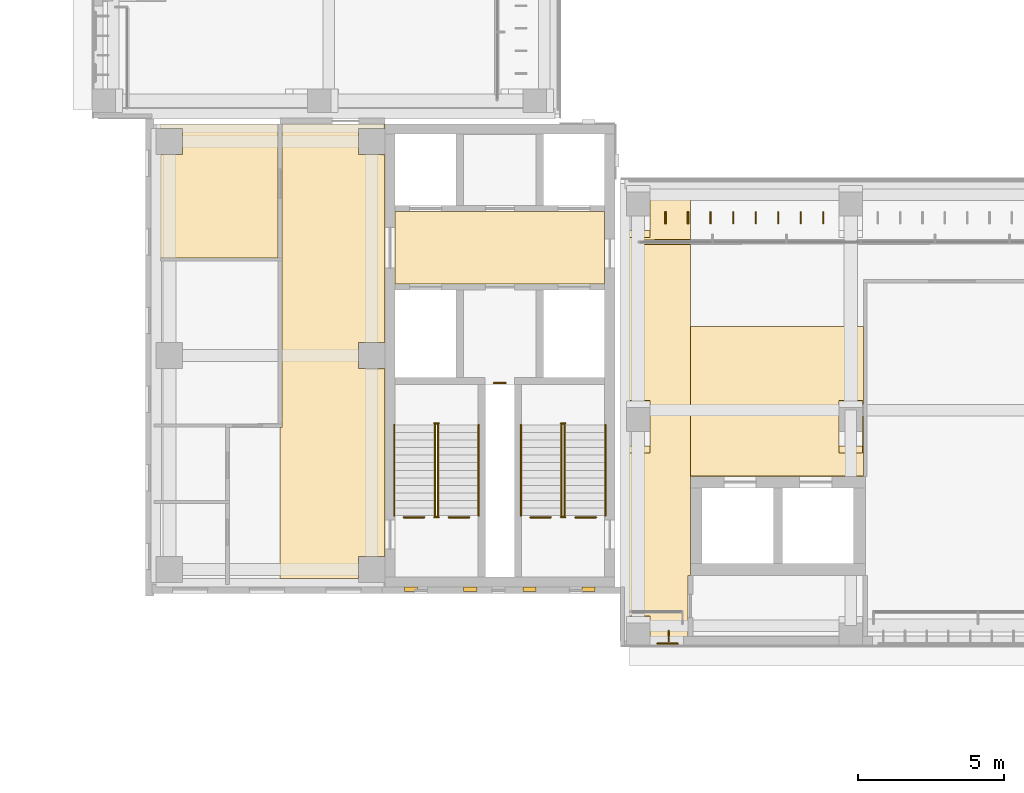
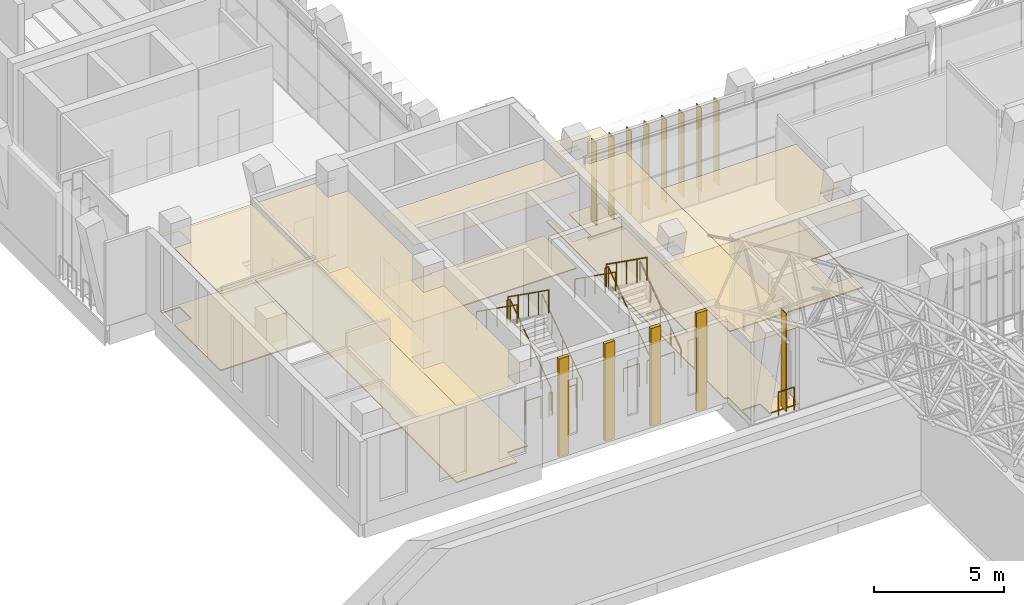
# One storey, part 121 of 141: 18 railings, 14 coverings, 9 shading devices.
"""IFC4 building model written with IfcOpenShell, lengths in metres."""

from ifc_helpers import new_model, si_unit, direction, frame, frame_2d, origin, origin_2d, place, context, subcontext, project, spatial, polyline, rectangle, circle, outline, extrude, material, layer, layer_set, type_object, element, save


model = new_model("IFC4")

# Units and contexts
model_context = context("Model", 3, precision=1e-05, world=origin(), true_north=direction((0.0, 1.0)))
body_context = subcontext(model_context, "Body", "Model", "MODEL_VIEW")
ifc_project = project(units=[si_unit("LENGTHUNIT", "METRE"), si_unit("AREAUNIT", "SQUARE_METRE"), si_unit("VOLUMEUNIT", "CUBIC_METRE"), si_unit("PLANEANGLEUNIT", "RADIAN"), si_unit("MASSUNIT", "GRAM", prefix="KILO")], contexts=[model_context])

# Site, building, storey
site_placement = place(None, origin())
site = spatial("IfcSite", under=ifc_project, at=site_placement, CompositionType="ELEMENT")
building_placement = place(site_placement, origin())
building = spatial("IfcBuilding", under=site, at=building_placement, Name="Lantern Court Media Centre", CompositionType="ELEMENT")
storey_placement = place(building_placement, frame((0.0, 0.0, 9.60009765625)))
storey = spatial("IfcBuildingStorey", under=building, at=storey_placement, Name="L02", CompositionType="ELEMENT", Elevation=9.60009765625)

# Covering
ifc_material_1 = material(Name="Carpet")
ifc_layer_1 = layer(ifc_material_1, 0.050048828125)
ifc_layer_set_1 = layer_set([ifc_layer_1], Name="Carpet")
covering_type_1 = type_object("IfcCoveringType", Name="Carpet floor finish", PredefinedType="FLOORING", material=ifc_layer_set_1)
covering_1_placement = place(storey_placement, origin())
element("IfcCovering", 1, at=covering_1_placement, inside=storey, type_object=covering_type_1, Name="Community Room 03 floor finish", PredefinedType="FLOORING", context=body_context, shape_type="SweptSolid", body=[
    extrude(outline(polyline([(8.300048828125, 63.89990234375), (12.33251953125, 63.89990234375), (12.33251953125, 59.304931640625), (8.300048828125, 59.304931640625), (8.300048828125, 62.844970703125), (9.054931640625, 62.85009765625), (9.05419921875, 63.752685546875), (8.300048828125, 63.7548828125), (8.300048828125, 63.89990234375)])), origin(), (0.0, 0.0, 1.0), 0.0498046875),
])

# Railings
ifc_material_2 = material(Name="Powder-coated steel", Category="steel")
railing_type_1 = type_object("IfcRailingType", Name="Floor edge guard 1100", PredefinedType="GUARDRAIL", material=ifc_material_2)
railing_1_placement = place(storey_placement, frame((18.89990234375, 50.390380859375, 0.0)))
element("IfcRailing", 2, at=railing_1_placement, inside=storey, type_object=railing_type_1, Name="L02 opening guard 62", PredefinedType="GUARDRAIL", context=body_context, shape_type="SweptSolid", body=[
    extrude(circle(Radius=0.02392578125, at=origin_2d()), frame((0.0, 0.0, 1.076171875), z_axis=(-1.0, 0.0, 0.0), x_axis=(0.0, -1.0, 0.0)), (0.0, 0.0, 1.0), 0.70361328125),
    extrude(circle(Radius=0.02099609375, at=origin_2d()), origin(), (0.0, 0.0, 1.0), 1.052001953125),
    extrude(circle(Radius=0.02099609375, at=origin_2d()), frame((-0.70361328125, 0.0, 0.0)), (0.0, 0.0, 1.0), 1.052001953125),
])
railing_2_placement = place(storey_placement, frame((17.353759765625, 50.390380859375, 0.0)))
element("IfcRailing", 3, at=railing_2_placement, inside=storey, type_object=railing_type_1, Name="L02 opening guard 63", PredefinedType="GUARDRAIL", context=body_context, shape_type="SweptSolid", body=[
    extrude(circle(Radius=0.02392578125, at=origin_2d()), frame((0.0, 0.0, 1.076171875), z_axis=(-1.0, 0.0, 0.0), x_axis=(0.0, -1.0, 0.0)), (0.0, 0.0, 1.0), 0.703857421875),
    extrude(circle(Radius=0.02099609375, at=origin_2d()), origin(), (0.0, 0.0, 1.0), 1.052001953125),
    extrude(circle(Radius=0.02099609375, at=origin_2d()), frame((-0.703857421875, 0.0, 0.0)), (0.0, 0.0, 1.0), 1.052001953125),
])
for number, where, name in (
    (4, (23.25, 50.390380859375, 0.0), "L02 opening guard 64"),
    (5, (21.70361328125, 50.390380859375, 0.0), "L02 opening guard 65"),
):
    element("IfcRailing", number, at=place(storey_placement, frame(where)), inside=storey, type_object=railing_type_1, Name=name, PredefinedType="GUARDRAIL", context=body_context, shape_type="SweptSolid", body=[
        extrude(circle(Radius=0.02392578125, at=origin_2d()), frame((0.0, 0.0, 1.076171875), z_axis=(-1.0, 0.0, 0.0), x_axis=(0.0, -1.0, 0.0)), (0.0, 0.0, 1.0), 0.70361328125),
        extrude(circle(Radius=0.02099609375, at=origin_2d()), origin(), (0.0, 0.0, 1.0), 1.052001953125),
        extrude(circle(Radius=0.02099609375, at=origin_2d()), frame((-0.70361328125, 0.0, 0.0)), (0.0, 0.0, 1.0), 1.052001953125),
    ])
railing_3_placement = place(storey_placement, frame((20.14990234375, 55.010009765625, 0.0)))
element("IfcRailing", 6, at=railing_3_placement, inside=storey, type_object=railing_type_1, Name="L02 opening guard 66", PredefinedType="GUARDRAIL", context=body_context, shape_type="SweptSolid", body=[
    extrude(circle(Radius=0.02392578125, at=origin_2d()), frame((0.0, 0.0, 1.076171875), z_axis=(-1.0, 0.0, 0.0), x_axis=(0.0, -1.0, 0.0)), (0.0, 0.0, 1.0), 0.39990234375),
    extrude(circle(Radius=0.02099609375, at=origin_2d()), origin(), (0.0, 0.0, 1.0), 1.052001953125),
    extrude(circle(Radius=0.02099609375, at=origin_2d()), frame((-0.39990234375, 0.0, 0.0)), (0.0, 0.0, 1.0), 1.052001953125),
])
railing_4_placement = place(storey_placement, frame((26.06005859375, 46.06005859375, 0.0)))
element("IfcRailing", 7, at=railing_4_placement, inside=storey, type_object=railing_type_1, Name="L02 edge guard 45", PredefinedType="GUARDRAIL", context=body_context, shape_type="SweptSolid", body=[
    extrude(circle(Radius=0.02392578125, at=origin_2d()), frame((0.0, 0.0, 1.076171875), z_axis=(-1.0, 0.0, 0.0), x_axis=(0.0, -1.0, 0.0)), (0.0, 0.0, 1.0), 0.699951171875),
    extrude(circle(Radius=0.02099609375, at=origin_2d()), origin(), (0.0, 0.0, 1.0), 1.052001953125),
    extrude(circle(Radius=0.02099609375, at=origin_2d()), frame((-0.699951171875, 0.0, 0.0)), (0.0, 0.0, 1.0), 1.052001953125),
])

# Coverings
ifc_material_3 = material(Name="Honed limestone cladding", Category="masonry")
ifc_layer_2 = layer(ifc_material_3, 0.14990234375)
ifc_layer_set_2 = layer_set([ifc_layer_2], Name="Honed limestone cladding")
covering_type_2 = type_object("IfcCoveringType", Name="Limestone pilaster cladding 150", PredefinedType="CLADDING", material=ifc_layer_set_2)
covering_2_placement = place(storey_placement, frame((16.675048828125, 47.925048828125, 0.0), z_axis=(0.0, 0.0, 1.0), x_axis=(1.0, 0.0, 0.0)))
element("IfcCovering", 8, at=covering_2_placement, inside=storey, type_object=covering_type_2, Name="Limestone pilaster rib", PredefinedType="CLADDING", context=body_context, shape_type="SweptSolid", body=[
    extrude(rectangle(XDim=0.449951171875, YDim=0.14990234375, at=frame_2d((0.22509765625, 0.0))), origin(), (0.0, 0.0, 1.0), 4.579833984375),
])
covering_3_placement = place(storey_placement, frame((18.708251953125, 47.925048828125, 0.0), z_axis=(0.0, 0.0, 1.0), x_axis=(1.0, 0.0, 0.0)))
element("IfcCovering", 9, at=covering_3_placement, inside=storey, type_object=covering_type_2, Name="Limestone pilaster rib", PredefinedType="CLADDING", context=body_context, shape_type="SweptSolid", body=[
    extrude(rectangle(XDim=0.4501953125, YDim=0.14990234375, at=frame_2d((0.22509765625, 0.0))), origin(), (0.0, 0.0, 1.0), 4.579833984375),
])
covering_4_placement = place(storey_placement, frame((20.74169921875, 47.925048828125, 0.0), z_axis=(0.0, 0.0, 1.0), x_axis=(1.0, 0.0, 0.0)))
element("IfcCovering", 10, at=covering_4_placement, inside=storey, type_object=covering_type_2, Name="Limestone pilaster rib", PredefinedType="CLADDING", context=body_context, shape_type="SweptSolid", body=[
    extrude(rectangle(XDim=0.449951171875, YDim=0.14990234375, at=frame_2d((0.22509765625, 0.0))), origin(), (0.0, 0.0, 1.0), 4.579833984375),
])
covering_5_placement = place(storey_placement, frame((22.77490234375, 47.925048828125, 0.0), z_axis=(0.0, 0.0, 1.0), x_axis=(1.0, 0.0, 0.0)))
element("IfcCovering", 11, at=covering_5_placement, inside=storey, type_object=covering_type_2, Name="Limestone pilaster rib", PredefinedType="CLADDING", context=body_context, shape_type="SweptSolid", body=[
    extrude(rectangle(XDim=0.4501953125, YDim=0.14990234375, at=frame_2d((0.22509765625, 0.0))), origin(), (0.0, 0.0, 1.0), 4.579833984375),
])

# Railings
railing_type_2 = type_object("IfcRailingType", Name="Stair guard 1100", PredefinedType="GUARDRAIL", material=ifc_material_2)
railing_5_placement = place(storey_placement, frame((17.825927734375, 50.449951171875, 0.1845703125)))
element("IfcRailing", 12, at=railing_5_placement, inside=storey, type_object=railing_type_2, Name="L02 ST-SWA stair guard 1", PredefinedType="GUARDRAIL", context=body_context, shape_type="SweptSolid", body=[
    extrude(circle(Radius=0.02392578125, at=origin_2d()), frame((0.0, 0.0, 1.076171875), z_axis=(0.0, 0.815376961211, 0.578930402662), x_axis=(-1.0, 0.0, 0.0)), (0.0, 0.0, 1.0), 3.82666015625),
    extrude(circle(Radius=0.02099609375, at=origin_2d()), origin(), (0.0, 0.0, 1.0), 1.052001953125),
    extrude(circle(Radius=0.02099609375, at=origin_2d()), frame((0.0, 0.780029296875, 0.5537109375)), (0.0, 0.0, 1.0), 1.052001953125),
    extrude(circle(Radius=0.02099609375, at=origin_2d()), frame((0.0, 1.56005859375, 1.107666015625)), (0.0, 0.0, 1.0), 1.052001953125),
    extrude(circle(Radius=0.02099609375, at=origin_2d()), frame((0.0, 2.340087890625, 1.66162109375)), (0.0, 0.0, 1.0), 1.052001953125),
    extrude(circle(Radius=0.02099609375, at=origin_2d()), frame((0.0, 3.1201171875, 2.21533203125)), (0.0, 0.0, 1.0), 1.052001953125),
])
railing_6_placement = place(storey_placement, frame((17.85009765625, 53.6201171875, 2.39990234375)))
element("IfcRailing", 13, at=railing_6_placement, inside=storey, type_object=railing_type_2, Name="L02 ST-SWA stair guard 2", PredefinedType="GUARDRAIL", context=body_context, shape_type="SweptSolid", body=[
    extrude(circle(Radius=0.02392578125, at=origin_2d()), frame((0.0, 0.0, 1.076171875), z_axis=(-1.0, 0.0, 0.0), x_axis=(0.0, -1.0, 0.0)), (0.0, 0.0, 1.0), 0.150146484375),
    extrude(circle(Radius=0.02099609375, at=origin_2d()), origin(), (0.0, 0.0, 1.0), 1.052001953125),
    extrude(circle(Radius=0.02099609375, at=origin_2d()), frame((-0.150146484375, 0.0, 0.0)), (0.0, 0.0, 1.0), 1.052001953125),
])
railing_7_placement = place(storey_placement, frame((17.72412109375, 53.570068359375, 2.58447265625)))
element("IfcRailing", 14, at=railing_7_placement, inside=storey, type_object=railing_type_2, Name="L02 ST-SWA stair guard 3", PredefinedType="GUARDRAIL", context=body_context, shape_type="SweptSolid", body=[
    extrude(circle(Radius=0.02392578125, at=origin_2d()), frame((0.0, 0.0, 1.076171875), z_axis=(0.0, -0.815376961211, 0.578930402662), x_axis=(1.0, 0.0, 0.0)), (0.0, 0.0, 1.0), 3.82666015625),
    extrude(circle(Radius=0.02099609375, at=origin_2d()), origin(), (0.0, 0.0, 1.0), 1.052001953125),
    extrude(circle(Radius=0.02099609375, at=origin_2d()), frame((0.0, -0.780029296875, 0.5537109375)), (0.0, 0.0, 1.0), 1.052001953125),
    extrude(circle(Radius=0.02099609375, at=origin_2d()), frame((0.0, -1.56005859375, 1.107666015625)), (0.0, 0.0, 1.0), 1.052001953125),
    extrude(circle(Radius=0.02099609375, at=origin_2d()), frame((0.0, -2.340087890625, 1.66162109375)), (0.0, 0.0, 1.0), 1.052001953125),
    extrude(circle(Radius=0.02099609375, at=origin_2d()), frame((0.0, -3.1201171875, 2.21533203125)), (0.0, 0.0, 1.0), 1.052001953125),
])
railing_8_placement = place(storey_placement, frame((17.85009765625, 50.39990234375, 0.0)))
element("IfcRailing", 15, at=railing_8_placement, inside=storey, type_object=railing_type_2, Name="L02 ST-SWA stair guard 4", PredefinedType="GUARDRAIL", context=body_context, shape_type="SweptSolid", body=[
    extrude(circle(Radius=0.02392578125, at=origin_2d()), frame((0.0, 0.0, 1.076171875), z_axis=(-1.0, 0.0, 0.0), x_axis=(0.0, -1.0, 0.0)), (0.0, 0.0, 1.0), 0.150146484375),
    extrude(circle(Radius=0.02099609375, at=origin_2d()), origin(), (0.0, 0.0, 1.0), 1.052001953125),
    extrude(circle(Radius=0.02099609375, at=origin_2d()), frame((-0.150146484375, 0.0, 0.0)), (0.0, 0.0, 1.0), 1.052001953125),
])
railing_9_placement = place(storey_placement, frame((22.176025390625, 50.449951171875, 0.1845703125)))
element("IfcRailing", 16, at=railing_9_placement, inside=storey, type_object=railing_type_2, Name="L02 ST-SWB stair guard 1", PredefinedType="GUARDRAIL", context=body_context, shape_type="SweptSolid", body=[
    extrude(circle(Radius=0.02392578125, at=origin_2d()), frame((0.0, 0.0, 1.076171875), z_axis=(0.0, 0.815376961211, 0.578930402662), x_axis=(-1.0, 0.0, 0.0)), (0.0, 0.0, 1.0), 3.82666015625),
    extrude(circle(Radius=0.02099609375, at=origin_2d()), origin(), (0.0, 0.0, 1.0), 1.052001953125),
    extrude(circle(Radius=0.02099609375, at=origin_2d()), frame((0.0, 0.780029296875, 0.5537109375)), (0.0, 0.0, 1.0), 1.052001953125),
    extrude(circle(Radius=0.02099609375, at=origin_2d()), frame((0.0, 1.56005859375, 1.107666015625)), (0.0, 0.0, 1.0), 1.052001953125),
    extrude(circle(Radius=0.02099609375, at=origin_2d()), frame((0.0, 2.340087890625, 1.66162109375)), (0.0, 0.0, 1.0), 1.052001953125),
    extrude(circle(Radius=0.02099609375, at=origin_2d()), frame((0.0, 3.1201171875, 2.21533203125)), (0.0, 0.0, 1.0), 1.052001953125),
])
railing_10_placement = place(storey_placement, frame((22.199951171875, 53.6201171875, 2.39990234375)))
element("IfcRailing", 17, at=railing_10_placement, inside=storey, type_object=railing_type_2, Name="L02 ST-SWB stair guard 2", PredefinedType="GUARDRAIL", context=body_context, shape_type="SweptSolid", body=[
    extrude(circle(Radius=0.02392578125, at=origin_2d()), frame((0.0, 0.0, 1.076171875), z_axis=(-1.0, 0.0, 0.0), x_axis=(0.0, -1.0, 0.0)), (0.0, 0.0, 1.0), 0.14990234375),
    extrude(circle(Radius=0.02099609375, at=origin_2d()), origin(), (0.0, 0.0, 1.0), 1.052001953125),
    extrude(circle(Radius=0.02099609375, at=origin_2d()), frame((-0.14990234375, 0.0, 0.0)), (0.0, 0.0, 1.0), 1.052001953125),
])
railing_11_placement = place(storey_placement, frame((22.073974609375, 53.570068359375, 2.58447265625)))
element("IfcRailing", 18, at=railing_11_placement, inside=storey, type_object=railing_type_2, Name="L02 ST-SWB stair guard 3", PredefinedType="GUARDRAIL", context=body_context, shape_type="SweptSolid", body=[
    extrude(circle(Radius=0.02392578125, at=origin_2d()), frame((0.0, 0.0, 1.076171875), z_axis=(0.0, -0.815376961211, 0.578930402662), x_axis=(1.0, 0.0, 0.0)), (0.0, 0.0, 1.0), 3.82666015625),
    extrude(circle(Radius=0.02099609375, at=origin_2d()), origin(), (0.0, 0.0, 1.0), 1.052001953125),
    extrude(circle(Radius=0.02099609375, at=origin_2d()), frame((0.0, -0.780029296875, 0.5537109375)), (0.0, 0.0, 1.0), 1.052001953125),
    extrude(circle(Radius=0.02099609375, at=origin_2d()), frame((0.0, -1.56005859375, 1.107666015625)), (0.0, 0.0, 1.0), 1.052001953125),
    extrude(circle(Radius=0.02099609375, at=origin_2d()), frame((0.0, -2.340087890625, 1.66162109375)), (0.0, 0.0, 1.0), 1.052001953125),
    extrude(circle(Radius=0.02099609375, at=origin_2d()), frame((0.0, -3.1201171875, 2.21533203125)), (0.0, 0.0, 1.0), 1.052001953125),
])
railing_12_placement = place(storey_placement, frame((22.199951171875, 50.39990234375, 0.0)))
element("IfcRailing", 19, at=railing_12_placement, inside=storey, type_object=railing_type_2, Name="L02 ST-SWB stair guard 4", PredefinedType="GUARDRAIL", context=body_context, shape_type="SweptSolid", body=[
    extrude(circle(Radius=0.02392578125, at=origin_2d()), frame((0.0, 0.0, 1.076171875), z_axis=(-1.0, 0.0, 0.0), x_axis=(0.0, -1.0, 0.0)), (0.0, 0.0, 1.0), 0.14990234375),
    extrude(circle(Radius=0.02099609375, at=origin_2d()), origin(), (0.0, 0.0, 1.0), 1.052001953125),
    extrude(circle(Radius=0.02099609375, at=origin_2d()), frame((-0.14990234375, 0.0, 0.0)), (0.0, 0.0, 1.0), 1.052001953125),
])
railing_type_3 = type_object("IfcRailingType", Name="Stair handrail 900", PredefinedType="HANDRAIL", material=ifc_material_2)
railing_13_placement = place(storey_placement, frame((19.22412109375, 50.449951171875, 0.1845703125)))
element("IfcRailing", 20, at=railing_13_placement, inside=storey, type_object=railing_type_3, Name="L02 ST-SWA stair handrail 1", PredefinedType="HANDRAIL", context=body_context, shape_type="SweptSolid", body=[
    extrude(circle(Radius=0.02392578125, at=origin_2d()), frame((0.0, 0.0, 0.8759765625), z_axis=(0.0, 0.815376961211, 0.578930402662), x_axis=(-1.0, 0.0, 0.0)), (0.0, 0.0, 1.0), 3.82666015625),
    extrude(circle(Radius=0.02099609375, at=origin_2d()), origin(), (0.0, 0.0, 1.0), 0.851806640625),
    extrude(circle(Radius=0.02099609375, at=origin_2d()), frame((0.0, 0.780029296875, 0.5537109375)), (0.0, 0.0, 1.0), 0.851806640625),
    extrude(circle(Radius=0.02099609375, at=origin_2d()), frame((0.0, 1.56005859375, 1.107666015625)), (0.0, 0.0, 1.0), 0.851806640625),
    extrude(circle(Radius=0.02099609375, at=origin_2d()), frame((0.0, 2.340087890625, 1.66162109375)), (0.0, 0.0, 1.0), 0.851806640625),
    extrude(circle(Radius=0.02099609375, at=origin_2d()), frame((0.0, 3.1201171875, 2.21533203125)), (0.0, 0.0, 1.0), 0.851806640625),
])
railing_14_placement = place(storey_placement, frame((16.325927734375, 53.570068359375, 2.58447265625)))
element("IfcRailing", 21, at=railing_14_placement, inside=storey, type_object=railing_type_3, Name="L02 ST-SWA stair handrail 2", PredefinedType="HANDRAIL", context=body_context, shape_type="SweptSolid", body=[
    extrude(circle(Radius=0.02392578125, at=origin_2d()), frame((0.0, 0.0, 0.8759765625), z_axis=(0.0, -0.815376961211, 0.578930402662), x_axis=(1.0, 0.0, 0.0)), (0.0, 0.0, 1.0), 3.82666015625),
    extrude(circle(Radius=0.02099609375, at=origin_2d()), origin(), (0.0, 0.0, 1.0), 0.851806640625),
    extrude(circle(Radius=0.02099609375, at=origin_2d()), frame((0.0, -0.780029296875, 0.5537109375)), (0.0, 0.0, 1.0), 0.851806640625),
    extrude(circle(Radius=0.02099609375, at=origin_2d()), frame((0.0, -1.56005859375, 1.107666015625)), (0.0, 0.0, 1.0), 0.851806640625),
    extrude(circle(Radius=0.02099609375, at=origin_2d()), frame((0.0, -2.340087890625, 1.66162109375)), (0.0, 0.0, 1.0), 0.851806640625),
    extrude(circle(Radius=0.02099609375, at=origin_2d()), frame((0.0, -3.1201171875, 2.21533203125)), (0.0, 0.0, 1.0), 0.851806640625),
])
railing_15_placement = place(storey_placement, frame((23.573974609375, 50.449951171875, 0.1845703125)))
element("IfcRailing", 22, at=railing_15_placement, inside=storey, type_object=railing_type_3, Name="L02 ST-SWB stair handrail 1", PredefinedType="HANDRAIL", context=body_context, shape_type="SweptSolid", body=[
    extrude(circle(Radius=0.02392578125, at=origin_2d()), frame((0.0, 0.0, 0.8759765625), z_axis=(0.0, 0.815376961211, 0.578930402662), x_axis=(-1.0, 0.0, 0.0)), (0.0, 0.0, 1.0), 3.82666015625),
    extrude(circle(Radius=0.02099609375, at=origin_2d()), origin(), (0.0, 0.0, 1.0), 0.851806640625),
    extrude(circle(Radius=0.02099609375, at=origin_2d()), frame((0.0, 0.780029296875, 0.5537109375)), (0.0, 0.0, 1.0), 0.851806640625),
    extrude(circle(Radius=0.02099609375, at=origin_2d()), frame((0.0, 1.56005859375, 1.107666015625)), (0.0, 0.0, 1.0), 0.851806640625),
    extrude(circle(Radius=0.02099609375, at=origin_2d()), frame((0.0, 2.340087890625, 1.66162109375)), (0.0, 0.0, 1.0), 0.851806640625),
    extrude(circle(Radius=0.02099609375, at=origin_2d()), frame((0.0, 3.1201171875, 2.21533203125)), (0.0, 0.0, 1.0), 0.851806640625),
])
railing_16_placement = place(storey_placement, frame((20.676025390625, 53.570068359375, 2.58447265625)))
element("IfcRailing", 23, at=railing_16_placement, inside=storey, type_object=railing_type_3, Name="L02 ST-SWB stair handrail 2", PredefinedType="HANDRAIL", context=body_context, shape_type="SweptSolid", body=[
    extrude(circle(Radius=0.02392578125, at=origin_2d()), frame((0.0, 0.0, 0.8759765625), z_axis=(0.0, -0.815376961211, 0.578930402662), x_axis=(1.0, 0.0, 0.0)), (0.0, 0.0, 1.0), 3.82666015625),
    extrude(circle(Radius=0.02099609375, at=origin_2d()), origin(), (0.0, 0.0, 1.0), 0.851806640625),
    extrude(circle(Radius=0.02099609375, at=origin_2d()), frame((0.0, -0.780029296875, 0.5537109375)), (0.0, 0.0, 1.0), 0.851806640625),
    extrude(circle(Radius=0.02099609375, at=origin_2d()), frame((0.0, -1.56005859375, 1.107666015625)), (0.0, 0.0, 1.0), 0.851806640625),
    extrude(circle(Radius=0.02099609375, at=origin_2d()), frame((0.0, -2.340087890625, 1.66162109375)), (0.0, 0.0, 1.0), 0.851806640625),
    extrude(circle(Radius=0.02099609375, at=origin_2d()), frame((0.0, -3.1201171875, 2.21533203125)), (0.0, 0.0, 1.0), 0.851806640625),
])

# Coverings
ifc_material_4 = material(Name="Mineral fibre ceiling tile")
ifc_layer_3 = layer(ifc_material_4, 0.02001953125)
ifc_layer_set_3 = layer_set([ifc_layer_3], Name="Mineral fibre ceiling tile")
covering_type_3 = type_object("IfcCoveringType", Name="Suspended ceiling tile", PredefinedType="CEILING", material=ifc_layer_set_3)
covering_6_placement = place(storey_placement, frame((0.0, 0.0, 3.599853515625)))
element("IfcCovering", 24, at=covering_6_placement, inside=storey, type_object=covering_type_3, Name="End Lobby ceiling", PredefinedType="CEILING", context=body_context, shape_type="SweptSolid", body=[
    extrude(outline(polyline([(26.5, 59.7744140625), (26.49951171875, 48.400390625), (26.41943359375, 48.39990234375), (26.41943359375, 46.300537109375), (24.240478515625, 46.300048828125), (24.240478515625, 48.0), (24.10009765625, 48.00048828125), (24.10009765625, 61.699951171875), (26.5, 61.699951171875), (26.5, 59.925537109375), (24.8994140625, 59.925048828125), (24.89990234375, 59.7744140625), (26.5, 59.7744140625)]), holes=[polyline([(25.10009765625, 52.847412109375), (25.100341796875, 53.400390625), (24.299560546875, 53.400390625), (24.2998046875, 52.847412109375), (25.10009765625, 52.847412109375)]), polyline([(25.10009765625, 53.599609375), (25.10009765625, 53.6484375), (24.299560546875, 53.64794921875), (24.300048828125, 53.599609375), (25.10009765625, 53.599609375)]), polyline([(25.10009765625, 60.247314453125), (25.100341796875, 60.800537109375), (24.299560546875, 60.80029296875), (24.2998046875, 60.24755859375), (25.10009765625, 60.247314453125)]), polyline([(25.10009765625, 60.99951171875), (25.10009765625, 61.04833984375), (24.299560546875, 61.0478515625), (24.300048828125, 60.99951171875), (25.10009765625, 60.99951171875)])]), origin(), (0.0, 0.0, 1.0), 0.02001953125),
])
covering_7_placement = place(storey_placement, frame((0.0, 0.0, 3.599853515625)))
element("IfcCovering", 25, at=covering_7_placement, inside=storey, type_object=covering_type_3, Name="Lift Lobby ceiling", PredefinedType="CEILING", context=body_context, shape_type="SweptSolid", body=[
    extrude(outline(polyline([(26.5, 56.949951171875), (32.43701171875, 56.949951171875), (32.43701171875, 51.800537109375), (26.5, 51.800537109375), (26.5, 56.949951171875)]), holes=[polyline([(32.39990234375, 53.599609375), (32.400146484375, 53.6484375), (31.599609375, 53.64794921875), (31.599853515625, 53.599609375), (32.39990234375, 53.599609375)]), polyline([(32.39990234375, 52.847412109375), (32.400390625, 53.400390625), (31.599609375, 53.400390625), (31.599609375, 52.847412109375), (32.39990234375, 52.847412109375)])]), origin(), (0.0, 0.0, 1.0), 0.02001953125),
])
covering_8_placement = place(storey_placement, frame((0.0, 0.0, 3.599853515625)))
element("IfcCovering", 26, at=covering_8_placement, inside=storey, type_object=covering_type_3, Name="Lift Lobby ceiling", PredefinedType="CEILING", context=body_context, shape_type="SweptSolid", body=[
    extrude(outline(polyline([(16.3505859375, 60.8994140625), (23.549560546875, 60.8994140625), (23.549560546875, 58.400390625), (16.3505859375, 58.400390625), (16.3505859375, 60.8994140625)])), origin(), (0.0, 0.0, 1.0), 0.02001953125),
])
covering_9_placement = place(storey_placement, frame((0.0, 0.0, 3.599853515625)))
element("IfcCovering", 27, at=covering_9_placement, inside=storey, type_object=covering_type_3, Name="Corridor ceiling", PredefinedType="CEILING", context=body_context, shape_type="SweptSolid", body=[
    extrude(outline(polyline([(12.39990234375, 48.300048828125), (12.39990234375, 53.47900390625), (12.462890625, 53.4794921875), (12.462890625, 63.8994140625), (15.99951171875, 63.8994140625), (15.99951171875, 63.75048828125), (15.099609375, 63.75), (15.099609375, 62.849609375), (15.99951171875, 62.849609375), (15.99951171875, 56.400390625), (15.099609375, 56.39990234375), (15.099609375, 55.499755859375), (15.99951171875, 55.49951171875), (15.99951171875, 49.050537109375), (15.099609375, 49.05029296875), (15.099609375, 48.300048828125), (12.39990234375, 48.300048828125)])), origin(), (0.0, 0.0, 1.0), 0.02001953125),
])
covering_10_placement = place(storey_placement, frame((0.0, 0.0, 3.599853515625)))
element("IfcCovering", 28, at=covering_10_placement, inside=storey, type_object=covering_type_3, Name="Community Room 03 ceiling", PredefinedType="CEILING", context=body_context, shape_type="SweptSolid", body=[
    extrude(outline(polyline([(8.300048828125, 63.89990234375), (12.3369140625, 63.89990234375), (12.3369140625, 59.300537109375), (8.300048828125, 59.300537109375), (8.300048828125, 62.849609375), (9.050537109375, 62.85009765625), (9.050537109375, 63.750244140625), (8.300048828125, 63.75048828125), (8.300048828125, 63.89990234375)])), origin(), (0.0, 0.0, 1.0), 0.02001953125),
])
ifc_material_5 = material(Name="Terrazzo")
ifc_layer_4 = layer(ifc_material_5, 0.050048828125)
ifc_layer_set_4 = layer_set([ifc_layer_4], Name="Terrazzo")
covering_type_4 = type_object("IfcCoveringType", Name="Terrazzo floor finish", PredefinedType="FLOORING", material=ifc_layer_set_4)
covering_11_placement = place(storey_placement, origin())
element("IfcCovering", 29, at=covering_11_placement, inside=storey, type_object=covering_type_4, Name="End Lobby floor finish", PredefinedType="FLOORING", context=body_context, shape_type="SweptSolid", body=[
    extrude(outline(polyline([(26.5, 59.77001953125), (26.4951171875, 48.405029296875), (26.4150390625, 48.39990234375), (26.4150390625, 46.304931640625), (25.10498046875, 46.300048828125), (25.103271484375, 47.00390625), (24.300048828125, 47.0048828125), (24.294921875, 46.300048828125), (24.2451171875, 46.300048828125), (24.244873046875, 48.00048828125), (24.10009765625, 48.0048828125), (24.10009765625, 61.699951171875), (24.294921875, 61.699951171875), (24.300048828125, 59.9951171875), (25.104736328125, 59.998046875), (25.10498046875, 61.699951171875), (26.5, 61.699951171875), (26.5, 59.929931640625), (24.89501953125, 59.925048828125), (24.8994140625, 59.77001953125), (26.5, 59.77001953125)]), holes=[polyline([(24.294921875, 52.60009765625), (25.104736328125, 52.59814453125), (25.101806640625, 54.404541015625), (24.29541015625, 54.40185546875), (24.294921875, 52.60009765625)])]), origin(), (0.0, 0.0, 1.0), 0.0498046875),
])
covering_12_placement = place(storey_placement, origin())
element("IfcCovering", 30, at=covering_12_placement, inside=storey, type_object=covering_type_4, Name="Lift Lobby floor finish", PredefinedType="FLOORING", context=body_context, shape_type="SweptSolid", body=[
    extrude(outline(polyline([(26.5, 56.949951171875), (32.4326171875, 56.949951171875), (32.4326171875, 51.804931640625), (26.5, 51.804931640625), (26.5, 56.949951171875)]), holes=[polyline([(32.39990234375, 52.594970703125), (32.404541015625, 54.40185546875), (31.59814453125, 54.404541015625), (31.595458984375, 52.59814453125), (32.39990234375, 52.594970703125)])]), origin(), (0.0, 0.0, 1.0), 0.0498046875),
])
covering_13_placement = place(storey_placement, origin())
element("IfcCovering", 31, at=covering_13_placement, inside=storey, type_object=covering_type_4, Name="Lift Lobby floor finish", PredefinedType="FLOORING", context=body_context, shape_type="SweptSolid", body=[
    extrude(outline(polyline([(16.35498046875, 60.89501953125), (23.544921875, 60.89501953125), (23.544921875, 58.405029296875), (16.35498046875, 58.405029296875), (16.35498046875, 60.89501953125)])), origin(), (0.0, 0.0, 1.0), 0.0498046875),
])
covering_14_placement = place(storey_placement, origin())
element("IfcCovering", 32, at=covering_14_placement, inside=storey, type_object=covering_type_4, Name="Corridor floor finish", PredefinedType="FLOORING", context=body_context, shape_type="SweptSolid", body=[
    extrude(outline(polyline([(12.39990234375, 48.300048828125), (12.39990234375, 53.474609375), (12.467529296875, 53.4794921875), (12.467529296875, 63.89501953125), (15.9951171875, 63.89501953125), (15.9951171875, 63.7548828125), (15.094970703125, 63.75), (15.096435546875, 62.846435546875), (15.9951171875, 62.844970703125), (15.9951171875, 56.405029296875), (15.094970703125, 56.39990234375), (15.096435546875, 55.49658203125), (15.9951171875, 55.4951171875), (15.9951171875, 49.054931640625), (15.096923828125, 49.053955078125), (15.094970703125, 48.300048828125), (12.39990234375, 48.300048828125)])), origin(), (0.0, 0.0, 1.0), 0.0498046875),
])

# Shading devices
ifc_material_6 = material(Name="Bronze anodised aluminium louvre", Category="aluminium")
ifc_layer_5 = layer(ifc_material_6, 0.0400390625)
ifc_layer_set_5 = layer_set([ifc_layer_5], Name="Bronze anodised aluminium louvre")
shading_device_type_1 = type_object("IfcShadingDeviceType", Name="Vertical louvre 40x400 full storey", PredefinedType="USERDEFINED", material=ifc_layer_set_5)
shading_device_placement = place(storey_placement, frame((25.75, 46.320068359375, -0.000244140625), z_axis=(0.0, 0.0, 1.0), x_axis=(1.0, 0.0, 0.0)))
element("IfcShadingDevice", 33, at=shading_device_placement, inside=storey, type_object=shading_device_type_1, Name="Vertical louvre S outer L02", ObjectType="VERTICAL LOUVRE", PredefinedType="USERDEFINED", context=body_context, shape_type="SweptSolid", body=[
    extrude(rectangle(XDim=0.0400390625, YDim=0.39990234375, at=origin_2d()), origin(), (0.0, 0.0, 1.0), 4.580078125),
])
ifc_layer_6 = layer(ifc_material_6, 0.0400390625)
ifc_layer_set_6 = layer_set([ifc_layer_6], Name="Bronze anodised aluminium louvre")
shading_device_type_2 = type_object("IfcShadingDeviceType", Name="Vertical louvre 40x400 under beam", PredefinedType="USERDEFINED", material=ifc_layer_set_6)
for number, where, z_axis, x_axis, name in (
    (34, (25.637451171875, 60.679931640625, 0.0), (0.0, 0.0, 1.0), (1.0, 0.0, 0.0), "Vertical louvre S inner L02"),
    (35, (26.41259765625, 60.679931640625, 0.0), (0.0, 0.0, 1.0), (1.0, 0.0, 0.0), "Vertical louvre S inner L02"),
    (36, (27.1875, 60.679931640625, 0.0), (0.0, 0.0, 1.0), (1.0, 0.0, 0.0), "Vertical louvre S inner L02"),
    (37, (27.96240234375, 60.679931640625, 0.0), (0.0, 0.0, 1.0), (1.0, 0.0, 0.0), "Vertical louvre S inner L02"),
    (38, (28.737548828125, 60.679931640625, 0.0), (0.0, 0.0, 1.0), (1.0, 0.0, 0.0), "Vertical louvre S inner L02"),
    (39, (29.512451171875, 60.679931640625, 0.0), (0.0, 0.0, 1.0), (1.0, 0.0, 0.0), "Vertical louvre S inner L02"),
    (40, (30.28759765625, 60.679931640625, 0.0), (0.0, 0.0, 1.0), (1.0, 0.0, 0.0), "Vertical louvre S inner L02"),
    (41, (31.0625, 60.679931640625, 0.0), (0.0, 0.0, 1.0), (1.0, 0.0, 0.0), "Vertical louvre S inner L02"),
):
    element("IfcShadingDevice", number, at=place(storey_placement, frame(where, z_axis=z_axis, x_axis=x_axis)), inside=storey, type_object=shading_device_type_2, Name=name, ObjectType="VERTICAL LOUVRE", PredefinedType="USERDEFINED", context=body_context, shape_type="SweptSolid", body=[
        extrude(rectangle(XDim=0.0400390625, YDim=0.39990234375, at=origin_2d()), origin(), (0.0, 0.0, 1.0), 3.89990234375),
    ])

save(model, "model.ifc")
